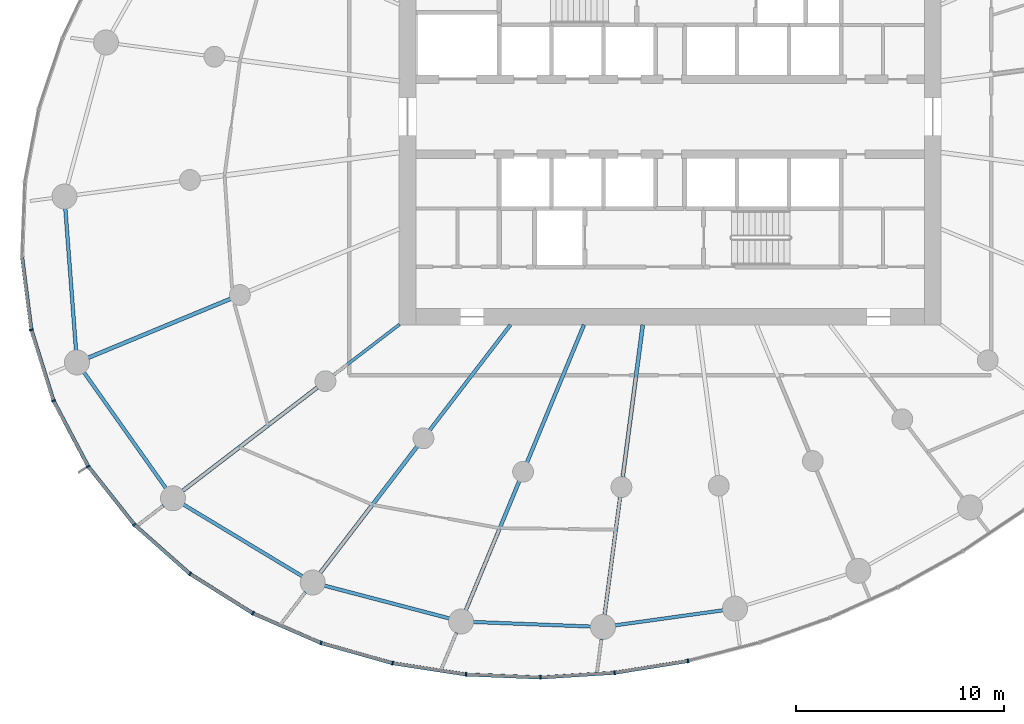
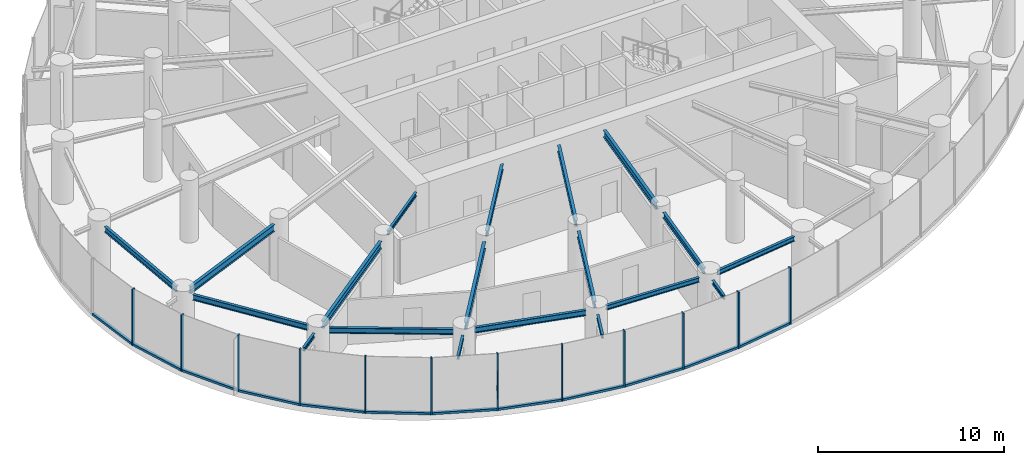
# One storey, part 2 of 17: 24 members, 19 beams, 3 elements without a shape of their own.
"""IFC4 building model written with IfcOpenShell, lengths in metres."""

from ifc_helpers import new_model, si_unit, direction, frame, origin, origin_2d, place, context, subcontext, project, spatial, rectangle, i_section, extrude, source, transform, mapped, material, layer, layer_set, material_profile, profile_set, type_object, element, aggregate, save


model = new_model("IFC4")

# Units and contexts
model_context = context("Model", 3, precision=1e-05, world=origin(), true_north=direction((0.0, 1.0)))
body_context = subcontext(model_context, "Body", "Model", "MODEL_VIEW")
ifc_project = project(units=[si_unit("LENGTHUNIT", "METRE"), si_unit("AREAUNIT", "SQUARE_METRE"), si_unit("VOLUMEUNIT", "CUBIC_METRE"), si_unit("PLANEANGLEUNIT", "RADIAN"), si_unit("MASSUNIT", "GRAM", prefix="KILO")], contexts=[model_context])

# Site, building, storey
site_placement = place(None, origin())
site = spatial("IfcSite", under=ifc_project, at=site_placement, CompositionType="ELEMENT")
building_placement = place(site_placement, origin())
building = spatial("IfcBuilding", under=site, at=building_placement, Name="Spindrift Exchange Tower", CompositionType="ELEMENT")
storey_placement = place(building_placement, frame((0.0, 0.0, 112.60009765625)))
storey = spatial("IfcBuildingStorey", under=building, at=storey_placement, Name="L26", CompositionType="ELEMENT", Elevation=112.60009765625)

# Beams
ifc_material_1 = material(Name="Steel Grade 300", Category="steel")
ifc_material_profile_1 = material_profile(ifc_material_1, i_section(OverallWidth=0.14599609375, OverallDepth=0.251953125, WebThickness=0.006103515625, FlangeThickness=0.008544921875, FilletRadius=0.011962890625, at=origin_2d()), Name="250UB31.4")
ifc_profile_set_1 = profile_set([ifc_material_profile_1], Name="Steel Grade 300")
beam_type_1 = type_object("IfcBeamType", Name="Floor Beam 250UB31.4 Steel Grade 300", PredefinedType="BEAM", material=ifc_profile_set_1)
shared_shape_1 = source(origin(), body_context, "Body", "SweptSolid", [
    extrude(i_section(OverallWidth=0.14599609375, OverallDepth=0.251953125, WebThickness=0.006103515625, FlangeThickness=0.008544921875, FilletRadius=0.011962890625, at=origin_2d()), origin(), (0.0, 0.0, 1.0), 3.99560546875),
])
beam_1_placement = place(storey_placement, frame((39.015869140625, 38.036865234375, 3.573974609375), z_axis=(-0.793352561574, -0.608762443851, 0.0), x_axis=(0.608762443851, -0.793352561574, 0.0)))
element("IfcBeam", 1, at=beam_1_placement, inside=storey, type_object=beam_type_1, Name="L26 radial beam R15A", PredefinedType="BEAM", context=body_context, shape_type="MappedRepresentation", body=[
    mapped(shared_shape_1, transform((0.0, 0.0, 0.0), scale=1.0)),
])
ifc_material_profile_2 = material_profile(ifc_material_1, i_section(OverallWidth=0.172119140625, OverallDepth=0.35888671875, WebThickness=0.008056640625, FlangeThickness=0.012939453125, FilletRadius=0.013916015625, at=origin_2d()), Name="360UB56.7")
ifc_profile_set_2 = profile_set([ifc_material_profile_2], Name="Steel Grade 300")
beam_type_2 = type_object("IfcBeamType", Name="Floor Beam 360UB56.7 Steel Grade 300", PredefinedType="BEAM", material=ifc_profile_set_2)
shared_shape_2 = source(origin(), body_context, "Body", "SweptSolid", [
    extrude(i_section(OverallWidth=0.172119140625, OverallDepth=0.35888671875, WebThickness=0.008056640625, FlangeThickness=0.012939453125, FilletRadius=0.013916015625, at=origin_2d()), origin(), (0.0, 0.0, 1.0), 6.37646484375),
])
beam_2_placement = place(storey_placement, frame((44.3388671875, 38.015869140625, 3.5205078125), z_axis=(-0.608766669952, -0.793349318747, 0.0), x_axis=(0.793349318747, -0.608766669952, 0.0)))
element("IfcBeam", 2, at=beam_2_placement, inside=storey, type_object=beam_type_2, Name="L26 radial beam R16A", PredefinedType="BEAM", context=body_context, shape_type="MappedRepresentation", body=[
    mapped(shared_shape_2, transform((0.0, 0.0, 0.0), scale=1.0)),
])
ifc_material_profile_3 = material_profile(ifc_material_1, i_section(OverallWidth=0.177978515625, OverallDepth=0.406005859375, WebThickness=0.0078125, FlangeThickness=0.0126953125, FilletRadius=0.013916015625, at=origin_2d()), Name="410UB59.7")
ifc_profile_set_3 = profile_set([ifc_material_profile_3], Name="Steel Grade 300")
beam_type_3 = type_object("IfcBeamType", Name="Floor Beam 410UB59.7 Steel Grade 300", PredefinedType="BEAM", material=ifc_profile_set_3)
shared_shape_3 = source(origin(), body_context, "Body", "SweptSolid", [
    extrude(i_section(OverallWidth=0.177978515625, OverallDepth=0.406005859375, WebThickness=0.0078125, FlangeThickness=0.0126953125, FilletRadius=0.013916015625, at=origin_2d()), origin(), (0.0, 0.0, 1.0), 7.150634765625),
])
beam_3_placement = place(storey_placement, frame((47.865478515625, 38.0185546875, 3.496826171875), z_axis=(-0.382665393358, -0.923887004306, 0.0), x_axis=(0.923887004306, -0.382665393358, 0.0)))
element("IfcBeam", 3, at=beam_3_placement, inside=storey, type_object=beam_type_3, Name="L26 radial beam R17A", PredefinedType="BEAM", context=body_context, shape_type="MappedRepresentation", body=[
    mapped(shared_shape_3, transform((0.0, 0.0, 0.0), scale=1.0)),
])
ifc_material_profile_4 = material_profile(ifc_material_1, i_section(OverallWidth=0.18994140625, OverallDepth=0.45703125, WebThickness=0.009033203125, FlangeThickness=0.014404296875, FilletRadius=0.013916015625, at=origin_2d()), Name="460UB74.6")
ifc_profile_set_4 = profile_set([ifc_material_profile_4], Name="Steel Grade 300")
beam_type_4 = type_object("IfcBeamType", Name="Floor Beam 460UB74.6 Steel Grade 300", PredefinedType="BEAM", material=ifc_profile_set_4)
shared_shape_4 = source(origin(), body_context, "Body", "SweptSolid", [
    extrude(i_section(OverallWidth=0.18994140625, OverallDepth=0.45703125, WebThickness=0.009033203125, FlangeThickness=0.014404296875, FilletRadius=0.013916015625, at=origin_2d()), origin(), (0.0, 0.0, 1.0), 7.374267578125),
])
beam_4_placement = place(storey_placement, frame((50.68603515625, 38.019775390625, 3.471435546875), z_axis=(-0.130539295622, -0.99144313619, 0.0), x_axis=(0.99144313619, -0.130539295622, 0.0)))
element("IfcBeam", 4, at=beam_4_placement, inside=storey, type_object=beam_type_4, Name="L26 radial beam R18A", PredefinedType="BEAM", context=body_context, shape_type="MappedRepresentation", body=[
    mapped(shared_shape_4, transform((0.0, 0.0, 0.0), scale=1.0)),
])
shared_shape_5 = source(origin(), body_context, "Body", "SweptSolid", [
    extrude(i_section(OverallWidth=0.18994140625, OverallDepth=0.45703125, WebThickness=0.009033203125, FlangeThickness=0.014404296875, FilletRadius=0.013916015625, at=origin_2d()), origin(), (0.0, 0.0, 1.0), 7.400146484375),
])
beam_5_placement = place(storey_placement, frame((30.917236328125, 39.26708984375, 3.471435546875), z_axis=(-0.923886957755, -0.382665505749, 0.0), x_axis=(0.382665505749, -0.923886957755, 0.0)))
element("IfcBeam", 5, at=beam_5_placement, inside=storey, type_object=beam_type_4, Name="L26 radial beam R14B", PredefinedType="BEAM", context=body_context, shape_type="MappedRepresentation", body=[
    mapped(shared_shape_5, transform((0.0, 0.0, 0.0), scale=1.0)),
])
shared_shape_6 = source(origin(), body_context, "Body", "SweptSolid", [
    extrude(i_section(OverallWidth=0.18994140625, OverallDepth=0.45703125, WebThickness=0.009033203125, FlangeThickness=0.014404296875, FilletRadius=0.013916015625, at=origin_2d()), origin(), (0.0, 0.0, 1.0), 8.158447265625),
])
beam_6_placement = place(storey_placement, frame((35.08447265625, 35.020263671875, 3.471435546875), z_axis=(-0.793358732539, -0.608754401631, 0.0), x_axis=(0.608754401631, -0.793358732539, 0.0)))
element("IfcBeam", 6, at=beam_6_placement, inside=storey, type_object=beam_type_4, Name="L26 radial beam R15B", PredefinedType="BEAM", context=body_context, shape_type="MappedRepresentation", body=[
    mapped(shared_shape_6, transform((0.0, 0.0, 0.0), scale=1.0)),
])
shared_shape_7 = source(origin(), body_context, "Body", "SweptSolid", [
    extrude(i_section(OverallWidth=0.18994140625, OverallDepth=0.45703125, WebThickness=0.009033203125, FlangeThickness=0.014404296875, FilletRadius=0.013916015625, at=origin_2d()), origin(), (0.0, 0.0, 1.0), 7.663818359375),
])
beam_7_placement = place(storey_placement, frame((39.872802734375, 32.1953125, 3.471435546875), z_axis=(-0.608771227503, -0.793345821546, 0.0), x_axis=(0.793345821546, -0.608771227503, 0.0)))
element("IfcBeam", 7, at=beam_7_placement, inside=storey, type_object=beam_type_4, Name="L26 radial beam R16B", PredefinedType="BEAM", context=body_context, shape_type="MappedRepresentation", body=[
    mapped(shared_shape_7, transform((0.0, 0.0, 0.0), scale=1.0)),
])
shared_shape_8 = source(origin(), body_context, "Body", "SweptSolid", [
    extrude(i_section(OverallWidth=0.177978515625, OverallDepth=0.406005859375, WebThickness=0.0078125, FlangeThickness=0.0126953125, FilletRadius=0.013916015625, at=origin_2d()), origin(), (0.0, 0.0, 1.0), 6.71240234375),
])
beam_8_placement = place(storey_placement, frame((44.76171875, 30.525146484375, 3.496826171875), z_axis=(-0.382669812754, -0.923885173821, 0.0), x_axis=(0.923885173821, -0.382669812754, 0.0)))
element("IfcBeam", 8, at=beam_8_placement, inside=storey, type_object=beam_type_3, Name="L26 radial beam R17B", PredefinedType="BEAM", context=body_context, shape_type="MappedRepresentation", body=[
    mapped(shared_shape_8, transform((0.0, 0.0, 0.0), scale=1.0)),
])
shared_shape_9 = source(origin(), body_context, "Body", "SweptSolid", [
    extrude(i_section(OverallWidth=0.172119140625, OverallDepth=0.35888671875, WebThickness=0.008056640625, FlangeThickness=0.012939453125, FilletRadius=0.013916015625, at=origin_2d()), origin(), (0.0, 0.0, 1.0), 5.70751953125),
])
beam_9_placement = place(storey_placement, frame((49.59814453125, 29.7568359375, 3.5205078125), z_axis=(-0.130507624881, -0.991447305634, 0.0), x_axis=(0.991447305634, -0.130507624881, 0.0)))
element("IfcBeam", 9, at=beam_9_placement, inside=storey, type_object=beam_type_2, Name="L26 radial beam R18B", PredefinedType="BEAM", context=body_context, shape_type="MappedRepresentation", body=[
    mapped(shared_shape_9, transform((0.0, 0.0, 0.0), scale=1.0)),
])
ifc_material_profile_5 = material_profile(ifc_material_1, i_section(OverallWidth=0.172119140625, OverallDepth=0.35888671875, WebThickness=0.008056640625, FlangeThickness=0.012939453125, FilletRadius=0.013916015625, at=origin_2d()), Name="360UB56.7")
ifc_profile_set_5 = profile_set([ifc_material_profile_5], Name="Steel Grade 300")
beam_type_5 = type_object("IfcBeamType", Name="Edge Beam 360UB56.7 Steel Grade 300", PredefinedType="SPANDREL", material=ifc_profile_set_5)
shared_shape_10 = source(origin(), body_context, "Body", "SweptSolid", [
    extrude(i_section(OverallWidth=0.172119140625, OverallDepth=0.35888671875, WebThickness=0.008056640625, FlangeThickness=0.012939453125, FilletRadius=0.013916015625, at=origin_2d()), origin(), (0.0, 0.0, 1.0), 6.82373046875),
])
beam_10_placement = place(storey_placement, frame((22.9873046875, 43.59619140625, 3.5205078125), z_axis=(0.075276463877, -0.997162701863, 0.0), x_axis=(0.997162701863, 0.075276463877, 0.0)))
element("IfcBeam", 10, at=beam_10_placement, inside=storey, type_object=beam_type_5, Name="L26 edge beam E13", PredefinedType="SPANDREL", context=body_context, shape_type="MappedRepresentation", body=[
    mapped(shared_shape_10, transform((0.0, 0.0, 0.0), scale=1.0)),
])
shared_shape_11 = source(origin(), body_context, "Body", "SweptSolid", [
    extrude(i_section(OverallWidth=0.172119140625, OverallDepth=0.35888671875, WebThickness=0.008056640625, FlangeThickness=0.012939453125, FilletRadius=0.013916015625, at=origin_2d()), origin(), (0.0, 0.0, 1.0), 6.81787109375),
])
beam_11_placement = place(storey_placement, frame((23.87939453125, 35.739990234375, 3.5205078125), z_axis=(0.577526426198, -0.816371990604, 0.0), x_axis=(0.816371990604, 0.577526426198, 0.0)))
element("IfcBeam", 11, at=beam_11_placement, inside=storey, type_object=beam_type_5, Name="L26 edge beam E14", PredefinedType="SPANDREL", context=body_context, shape_type="MappedRepresentation", body=[
    mapped(shared_shape_11, transform((0.0, 0.0, 0.0), scale=1.0)),
])
shared_shape_12 = source(origin(), body_context, "Body", "SweptSolid", [
    extrude(i_section(OverallWidth=0.172119140625, OverallDepth=0.35888671875, WebThickness=0.008056640625, FlangeThickness=0.012939453125, FilletRadius=0.013916015625, at=origin_2d()), origin(), (0.0, 0.0, 1.0), 6.668701171875),
])
beam_12_placement = place(storey_placement, frame((28.6484375, 29.40087890625, 3.5205078125), z_axis=(0.856133207479, -0.516755194508, 0.0), x_axis=(0.516755194508, 0.856133207479, 0.0)))
element("IfcBeam", 12, at=beam_12_placement, inside=storey, type_object=beam_type_5, Name="L26 edge beam E15", PredefinedType="SPANDREL", context=body_context, shape_type="MappedRepresentation", body=[
    mapped(shared_shape_12, transform((0.0, 0.0, 0.0), scale=1.0)),
])
shared_shape_13 = source(origin(), body_context, "Body", "SweptSolid", [
    extrude(i_section(OverallWidth=0.172119140625, OverallDepth=0.35888671875, WebThickness=0.008056640625, FlangeThickness=0.012939453125, FilletRadius=0.013916015625, at=origin_2d()), origin(), (0.0, 0.0, 1.0), 6.197509765625),
])
beam_13_placement = place(storey_placement, frame((35.415283203125, 25.508056640625, 3.5205078125), z_axis=(0.967254420813, -0.253808757567, 0.0), x_axis=(0.253808757567, 0.967254420813, 0.0)))
element("IfcBeam", 13, at=beam_13_placement, inside=storey, type_object=beam_type_5, Name="L26 edge beam E16", PredefinedType="SPANDREL", context=body_context, shape_type="MappedRepresentation", body=[
    mapped(shared_shape_13, transform((0.0, 0.0, 0.0), scale=1.0)),
])
ifc_material_profile_6 = material_profile(ifc_material_1, i_section(OverallWidth=0.1650390625, OverallDepth=0.303955078125, WebThickness=0.006103515625, FlangeThickness=0.01025390625, FilletRadius=0.011474609375, at=origin_2d()), Name="310UB40.4")
ifc_profile_set_6 = profile_set([ifc_material_profile_6], Name="Steel Grade 300")
beam_type_6 = type_object("IfcBeamType", Name="Edge Beam 310UB40.4 Steel Grade 300", PredefinedType="SPANDREL", material=ifc_profile_set_6)
shared_shape_14 = source(origin(), body_context, "Body", "SweptSolid", [
    extrude(i_section(OverallWidth=0.1650390625, OverallDepth=0.303955078125, WebThickness=0.006103515625, FlangeThickness=0.01025390625, FilletRadius=0.011474609375, at=origin_2d()), origin(), (0.0, 0.0, 1.0), 5.65185546875),
])
beam_14_placement = place(storey_placement, frame((42.550537109375, 23.765380859375, 3.5478515625), z_axis=(0.99924397539, -0.038877726865, 0.0), x_axis=(0.038877726865, 0.99924397539, 0.0)))
element("IfcBeam", 14, at=beam_14_placement, inside=storey, type_object=beam_type_6, Name="L26 edge beam E17", PredefinedType="SPANDREL", context=body_context, shape_type="MappedRepresentation", body=[
    mapped(shared_shape_14, transform((0.0, 0.0, 0.0), scale=1.0)),
])
shared_shape_15 = source(origin(), body_context, "Body", "SweptSolid", [
    extrude(i_section(OverallWidth=0.1650390625, OverallDepth=0.303955078125, WebThickness=0.006103515625, FlangeThickness=0.01025390625, FilletRadius=0.011474609375, at=origin_2d()), origin(), (0.0, 0.0, 1.0), 5.22998046875),
])
beam_15_placement = place(storey_placement, frame((49.35205078125, 23.603271484375, 3.5478515625), z_axis=(0.990440078597, 0.137943650481, 0.0), x_axis=(-0.137943650481, 0.990440078597, 0.0)))
element("IfcBeam", 15, at=beam_15_placement, inside=storey, type_object=beam_type_6, Name="L26 edge beam E18", PredefinedType="SPANDREL", context=body_context, shape_type="MappedRepresentation", body=[
    mapped(shared_shape_15, transform((0.0, 0.0, 0.0), scale=1.0)),
])
ifc_material_profile_7 = material_profile(ifc_material_1, i_section(OverallWidth=0.14599609375, OverallDepth=0.251953125, WebThickness=0.006103515625, FlangeThickness=0.008544921875, FilletRadius=0.011962890625, at=origin_2d()), Name="250UB31.4")
ifc_profile_set_7 = profile_set([ifc_material_profile_7], Name="Steel Grade 300")
beam_type_7 = type_object("IfcBeamType", Name="Cantilever Beam 250UB31.4 Steel Grade 300", PredefinedType="BEAM", material=ifc_profile_set_7)
shared_shape_16 = source(origin(), body_context, "Body", "SweptSolid", [
    extrude(i_section(OverallWidth=0.14599609375, OverallDepth=0.251953125, WebThickness=0.006103515625, FlangeThickness=0.008544921875, FilletRadius=0.011962890625, at=origin_2d()), origin(), (0.0, 0.0, 1.0), 1.481201171875),
])
beam_16_placement = place(storey_placement, frame((27.691650390625, 29.347412109375, 3.573974609375), z_axis=(-0.793425939582, -0.608666804087, 0.0), x_axis=(0.608666804087, -0.793425939582, 0.0)))
element("IfcBeam", 16, at=beam_16_placement, inside=storey, type_object=beam_type_7, Name="L26 cantilever beam R15T", PredefinedType="BEAM", context=body_context, shape_type="MappedRepresentation", body=[
    mapped(shared_shape_16, transform((0.0, 0.0, 0.0), scale=1.0)),
])
shared_shape_17 = source(origin(), body_context, "Body", "SweptSolid", [
    extrude(i_section(OverallWidth=0.14599609375, OverallDepth=0.251953125, WebThickness=0.006103515625, FlangeThickness=0.008544921875, FilletRadius=0.011962890625, at=origin_2d()), origin(), (0.0, 0.0, 1.0), 1.96484375),
])
beam_17_placement = place(storey_placement, frame((34.501220703125, 25.195068359375, 3.573974609375), z_axis=(-0.608809692833, -0.793316303824, 0.0), x_axis=(0.793316303824, -0.608809692833, 0.0)))
element("IfcBeam", 17, at=beam_17_placement, inside=storey, type_object=beam_type_7, Name="L26 cantilever beam R16T", PredefinedType="BEAM", context=body_context, shape_type="MappedRepresentation", body=[
    mapped(shared_shape_17, transform((0.0, 0.0, 0.0), scale=1.0)),
])
shared_shape_18 = source(origin(), body_context, "Body", "SweptSolid", [
    extrude(i_section(OverallWidth=0.14599609375, OverallDepth=0.251953125, WebThickness=0.006103515625, FlangeThickness=0.008544921875, FilletRadius=0.011962890625, at=origin_2d()), origin(), (0.0, 0.0, 1.0), 1.93408203125),
])
beam_18_placement = place(storey_placement, frame((41.7490234375, 23.251953125, 3.573974609375), z_axis=(-0.382723397636, -0.923862977341, 0.0), x_axis=(0.923862977341, -0.382723397636, 0.0)))
element("IfcBeam", 18, at=beam_18_placement, inside=storey, type_object=beam_type_7, Name="L26 cantilever beam R17T", PredefinedType="BEAM", context=body_context, shape_type="MappedRepresentation", body=[
    mapped(shared_shape_18, transform((0.0, 0.0, 0.0), scale=1.0)),
])
shared_shape_19 = source(origin(), body_context, "Body", "SweptSolid", [
    extrude(i_section(OverallWidth=0.14599609375, OverallDepth=0.251953125, WebThickness=0.006103515625, FlangeThickness=0.008544921875, FilletRadius=0.011962890625, at=origin_2d()), origin(), (0.0, 0.0, 1.0), 1.60791015625),
])
beam_19_placement = place(storey_placement, frame((48.701904296875, 22.9482421875, 3.573974609375), z_axis=(-0.130572336197, -0.991438785312, 0.0), x_axis=(0.991438785312, -0.130572336197, 0.0)))
element("IfcBeam", 19, at=beam_19_placement, inside=storey, type_object=beam_type_7, Name="L26 cantilever beam R18T", PredefinedType="BEAM", context=body_context, shape_type="MappedRepresentation", body=[
    mapped(shared_shape_19, transform((0.0, 0.0, 0.0), scale=1.0)),
])

# Curtain wall, members
ifc_material_2 = material(Name="Fritted laminated glass with bronze frame", Category="glass")
ifc_layer = layer(ifc_material_2, 0.18994140625)
ifc_layer_set = layer_set([ifc_layer], Name="ZONE 2 BRONZE FRITTED WALL")
curtain_wall_type = type_object("IfcCurtainWallType", Name="ZONE 2 BRONZE FRITTED WALL", PredefinedType="NOTDEFINED", material=ifc_layer_set)
curtain_wall_1_placement = place(storey_placement, origin())
curtain_wall_1 = element("IfcCurtainWall", 20, at=curtain_wall_1_placement, inside=storey, type_object=curtain_wall_type, Name="L26 Zone 2 Bronze Fritted Wall run 5", PredefinedType="NOTDEFINED")
ifc_material_3 = material(Name="Bronze anodised aluminium", Category="aluminium")
ifc_material_profile_8 = material_profile(ifc_material_3, rectangle(XDim=0.074951171875, YDim=0.18994140625, at=origin_2d()), Name="ZONE 2 BRONZE FRITTED WALL MULLION 75X190")
ifc_profile_set_8 = profile_set([ifc_material_profile_8], Name="Bronze anodised aluminium")
member_type_1 = type_object("IfcMemberType", Name="ZONE 2 BRONZE FRITTED WALL MULLION 75X190", PredefinedType="MULLION", material=ifc_profile_set_8)
shared_shape_20 = source(origin(), body_context, "Body", "SweptSolid", [
    extrude(rectangle(XDim=0.074951171875, YDim=0.18994140625, at=origin_2d()), origin(), (0.0, 0.0, 1.0), 3.699951171875),
])
member_1_placement = place(storey_placement, frame((21.359130859375, 37.779052734375, 0.0), z_axis=(0.0, 0.0, 1.0), x_axis=(0.21308946775, -0.977032690719, 0.0)))
member_1 = element("IfcMember", 21, at=member_1_placement, type_object=member_type_1, Name="L26 mullion CW-2.25", PredefinedType="MULLION", context=body_context, shape_type="MappedRepresentation", body=[
    mapped(shared_shape_20, transform((0.0, 0.0, 0.0), scale=1.0)),
])
member_2_placement = place(storey_placement, frame((22.422119140625, 34.37841796875, 0.0), z_axis=(0.0, 0.0, 1.0), x_axis=(0.384439760596, -0.923150080146, 0.0)))
member_2 = element("IfcMember", 22, at=member_2_placement, type_object=member_type_1, Name="L26 mullion CW-2.26", PredefinedType="MULLION", context=body_context, shape_type="MappedRepresentation", body=[
    mapped(shared_shape_20, transform((0.0, 0.0, 0.0), scale=1.0)),
])
member_3_placement = place(storey_placement, frame((24.0869140625, 31.228759765625, 0.0), z_axis=(0.0, 0.0, 1.0), x_axis=(0.546353399418, -0.837554752207, 0.0)))
member_3 = element("IfcMember", 23, at=member_3_placement, type_object=member_type_1, Name="L26 mullion CW-2.27", PredefinedType="MULLION", context=body_context, shape_type="MappedRepresentation", body=[
    mapped(shared_shape_20, transform((0.0, 0.0, 0.0), scale=1.0)),
])
member_4_placement = place(storey_placement, frame((26.298583984375, 28.435546875, 0.0), z_axis=(0.0, 0.0, 1.0), x_axis=(0.687379700307, -0.726298249761, 0.0)))
member_4 = element("IfcMember", 24, at=member_4_placement, type_object=member_type_1, Name="L26 mullion CW-2.28", PredefinedType="MULLION", context=body_context, shape_type="MappedRepresentation", body=[
    mapped(shared_shape_20, transform((0.0, 0.0, 0.0), scale=1.0)),
])
member_5_placement = place(storey_placement, frame((28.966552734375, 26.072998046875, 0.0), z_axis=(0.0, 0.0, 1.0), x_axis=(0.800532440139, -0.599289422804, 0.0)))
member_5 = element("IfcMember", 25, at=member_5_placement, type_object=member_type_1, Name="L26 mullion CW-2.29", PredefinedType="MULLION", context=body_context, shape_type="MappedRepresentation", body=[
    mapped(shared_shape_20, transform((0.0, 0.0, 0.0), scale=1.0)),
])
member_6_placement = place(storey_placement, frame((31.9853515625, 24.178466796875, 0.0), z_axis=(0.0, 0.0, 1.0), x_axis=(0.884439546273, -0.46665478567, 0.0)))
member_6 = element("IfcMember", 26, at=member_6_placement, type_object=member_type_1, Name="L26 mullion CW-2.30", PredefinedType="MULLION", context=body_context, shape_type="MappedRepresentation", body=[
    mapped(shared_shape_20, transform((0.0, 0.0, 0.0), scale=1.0)),
])

curtain_wall_2_placement = place(storey_placement, origin())
curtain_wall_2 = element("IfcCurtainWall", 27, at=curtain_wall_2_placement, inside=storey, type_object=curtain_wall_type, Name="L26 Zone 2 Bronze Fritted Wall run 6", PredefinedType="NOTDEFINED")
member_7_placement = place(storey_placement, frame((35.25390625, 22.755859375, 0.0), z_axis=(0.0, 0.0, 1.0), x_axis=(0.941843446918, -0.336051962496, 0.0)))
member_7 = element("IfcMember", 28, at=member_7_placement, type_object=member_type_1, Name="L26 mullion CW-2.31", PredefinedType="MULLION", context=body_context, shape_type="MappedRepresentation", body=[
    mapped(shared_shape_20, transform((0.0, 0.0, 0.0), scale=1.0)),
])
member_8_placement = place(storey_placement, frame((38.685302734375, 21.7880859375, 0.0), z_axis=(0.0, 0.0, 1.0), x_axis=(0.977293655773, -0.211889382429, 0.0)))
member_8 = element("IfcMember", 29, at=member_8_placement, type_object=member_type_1, Name="L26 mullion CW-2.32", PredefinedType="MULLION", context=body_context, shape_type="MappedRepresentation", body=[
    mapped(shared_shape_20, transform((0.0, 0.0, 0.0), scale=1.0)),
])
member_9_placement = place(storey_placement, frame((42.209716796875, 21.247802734375, 0.0), z_axis=(0.0, 0.0, 1.0), x_axis=(0.995382055179, -0.095992521732, 0.0)))
member_9 = element("IfcMember", 30, at=member_9_placement, type_object=member_type_1, Name="L26 mullion CW-2.33", PredefinedType="MULLION", context=body_context, shape_type="MappedRepresentation", body=[
    mapped(shared_shape_20, transform((0.0, 0.0, 0.0), scale=1.0)),
])
member_10_placement = place(storey_placement, frame((45.77294921875, 21.1044921875, 0.0), z_axis=(0.0, 0.0, 1.0), x_axis=(0.999935353228, 0.011370548152, 0.0)))
member_10 = element("IfcMember", 31, at=member_10_placement, type_object=member_type_1, Name="L26 mullion CW-2.34", PredefinedType="MULLION", context=body_context, shape_type="MappedRepresentation", body=[
    mapped(shared_shape_20, transform((0.0, 0.0, 0.0), scale=1.0)),
])
member_11_placement = place(storey_placement, frame((49.33203125, 21.32861328125, 0.0), z_axis=(0.0, 0.0, 1.0), x_axis=(0.993841212096, 0.110813560265, 0.0)))
member_11 = element("IfcMember", 32, at=member_11_placement, type_object=member_type_1, Name="L26 mullion CW-2.35", PredefinedType="MULLION", context=body_context, shape_type="MappedRepresentation", body=[
    mapped(shared_shape_20, transform((0.0, 0.0, 0.0), scale=1.0)),
])
member_12_placement = place(storey_placement, frame((52.853515625, 21.89404296875, 0.0), z_axis=(0.0, 0.0, 1.0), x_axis=(0.97911477387, 0.203308287067, 0.0)))
member_12 = element("IfcMember", 33, at=member_12_placement, type_object=member_type_1, Name="L26 mullion CW-2.36", PredefinedType="MULLION", context=body_context, shape_type="MappedRepresentation", body=[
    mapped(shared_shape_20, transform((0.0, 0.0, 0.0), scale=1.0)),
])
ifc_material_profile_9 = material_profile(ifc_material_3, rectangle(XDim=0.169921875, YDim=0.139892578125, at=origin_2d()), Name="ZONE 2 BRONZE FRITTED WALL TRANSOM 170X140")
ifc_profile_set_9 = profile_set([ifc_material_profile_9], Name="Bronze anodised aluminium")
member_type_2 = type_object("IfcMemberType", Name="ZONE 2 BRONZE FRITTED WALL TRANSOM 170X140", PredefinedType="USERDEFINED", material=ifc_profile_set_9)
shared_shape_21 = source(origin(), body_context, "Body", "SweptSolid", [
    extrude(rectangle(XDim=0.169921875, YDim=0.139892578125, at=origin_2d()), origin(), (0.0, 0.0, 1.0), 3.4912109375),
])
member_13_placement = place(storey_placement, frame((42.2470703125, 21.24609375, 0.06982421875), z_axis=(0.999194017507, -0.040141193033, 0.0), x_axis=(0.040141193033, 0.999194017507, 0.0)))
member_13 = element("IfcMember", 34, at=member_13_placement, type_object=member_type_2, Name="L26 transom CW-2.33", ObjectType="TRANSOM", PredefinedType="USERDEFINED", context=body_context, shape_type="MappedRepresentation", body=[
    mapped(shared_shape_21, transform((0.0, 0.0, 0.0), scale=1.0)),
])
member_14_placement = place(storey_placement, frame((45.810302734375, 21.10693359375, 0.06982421875), z_axis=(0.998021984625, 0.062865874732, 0.0), x_axis=(-0.062865874732, 0.998021984625, 0.0)))
member_14 = element("IfcMember", 35, at=member_14_placement, type_object=member_type_2, Name="L26 transom CW-2.34", ObjectType="TRANSOM", PredefinedType="USERDEFINED", context=body_context, shape_type="MappedRepresentation", body=[
    mapped(shared_shape_21, transform((0.0, 0.0, 0.0), scale=1.0)),
])
shared_shape_22 = source(origin(), body_context, "Body", "SweptSolid", [
    extrude(rectangle(XDim=0.169921875, YDim=0.139892578125, at=origin_2d()), origin(), (0.0, 0.0, 1.0), 3.490478515625),
])
member_15_placement = place(storey_placement, frame((35.289794921875, 22.74560546875, 0.06982421875), z_axis=(0.96245014456, -0.271458503709, 0.0), x_axis=(0.271458503709, 0.96245014456, 0.0)))
member_15 = element("IfcMember", 36, at=member_15_placement, type_object=member_type_2, Name="L26 transom CW-2.31", ObjectType="TRANSOM", PredefinedType="USERDEFINED", context=body_context, shape_type="MappedRepresentation", body=[
    mapped(shared_shape_22, transform((0.0, 0.0, 0.0), scale=1.0)),
])

# Member
shared_shape_23 = source(origin(), body_context, "Body", "SweptSolid", [
    extrude(rectangle(XDim=0.169921875, YDim=0.139892578125, at=origin_2d()), origin(), (0.0, 0.0, 1.0), 3.489013671875),
])
member_16_placement = place(storey_placement, frame((28.998291015625, 26.05322265625, 0.06982421875), z_axis=(0.84701015174, -0.531576713983, 0.0), x_axis=(0.531576713983, 0.84701015174, 0.0)))
member_16 = element("IfcMember", 37, at=member_16_placement, type_object=member_type_2, Name="L26 transom CW-2.29", ObjectType="TRANSOM", PredefinedType="USERDEFINED", context=body_context, shape_type="MappedRepresentation", body=[
    mapped(shared_shape_23, transform((0.0, 0.0, 0.0), scale=1.0)),
])

# Curtain wall, member
curtain_wall_3_placement = place(storey_placement, origin())
curtain_wall_3 = element("IfcCurtainWall", 38, at=curtain_wall_3_placement, inside=storey, type_object=curtain_wall_type, Name="L26 Zone 2 Bronze Fritted Wall run 4", PredefinedType="NOTDEFINED")
shared_shape_24 = source(origin(), body_context, "Body", "SweptSolid", [
    extrude(rectangle(XDim=0.169921875, YDim=0.139892578125, at=origin_2d()), origin(), (0.0, 0.0, 1.0), 3.48828125),
])
member_17_placement = place(storey_placement, frame((20.9140625, 41.27685546875, 0.06982421875), z_axis=(0.126256784093, -0.991997592976, 0.0), x_axis=(0.991997592976, 0.126256784093, 0.0)))
member_17 = element("IfcMember", 39, at=member_17_placement, type_object=member_type_2, Name="L26 transom CW-2.24", ObjectType="TRANSOM", PredefinedType="USERDEFINED", context=body_context, shape_type="MappedRepresentation", body=[
    mapped(shared_shape_24, transform((0.0, 0.0, 0.0), scale=1.0)),
])
aggregate(curtain_wall_3, [member_17])

# Member
shared_shape_25 = source(origin(), body_context, "Body", "SweptSolid", [
    extrude(rectangle(XDim=0.169921875, YDim=0.139892578125, at=origin_2d()), origin(), (0.0, 0.0, 1.0), 3.487548828125),
])
member_18_placement = place(storey_placement, frame((22.439453125, 34.34521484375, 0.06982421875), z_axis=(0.467398774793, -0.884046596805, 0.0), x_axis=(0.884046596805, 0.467398774793, 0.0)))
member_18 = element("IfcMember", 40, at=member_18_placement, type_object=member_type_2, Name="L26 transom CW-2.26", ObjectType="TRANSOM", PredefinedType="USERDEFINED", context=body_context, shape_type="MappedRepresentation", body=[
    mapped(shared_shape_25, transform((0.0, 0.0, 0.0), scale=1.0)),
])

shared_shape_26 = source(origin(), body_context, "Body", "SweptSolid", [
    extrude(rectangle(XDim=0.169921875, YDim=0.139892578125, at=origin_2d()), origin(), (0.0, 0.0, 1.0), 3.48779296875),
])
member_19_placement = place(storey_placement, frame((24.1103515625, 31.199462890625, 0.06982421875), z_axis=(0.620726251255, -0.784027372611, 0.0), x_axis=(0.784027372611, 0.620726251255, 0.0)))
member_19 = element("IfcMember", 41, at=member_19_placement, type_object=member_type_2, Name="L26 transom CW-2.27", ObjectType="TRANSOM", PredefinedType="USERDEFINED", context=body_context, shape_type="MappedRepresentation", body=[
    mapped(shared_shape_26, transform((0.0, 0.0, 0.0), scale=1.0)),
])

shared_shape_27 = source(origin(), body_context, "Body", "SweptSolid", [
    extrude(rectangle(XDim=0.169921875, YDim=0.139892578125, at=origin_2d()), origin(), (0.0, 0.0, 1.0), 3.49072265625),
])
member_20_placement = place(storey_placement, frame((38.72216796875, 21.7822265625, 0.06982421875), z_axis=(0.98845885832, -0.151489555446, 0.0), x_axis=(0.151489555446, 0.98845885832, 0.0)))
member_20 = element("IfcMember", 42, at=member_20_placement, type_object=member_type_2, Name="L26 transom CW-2.32", ObjectType="TRANSOM", PredefinedType="USERDEFINED", context=body_context, shape_type="MappedRepresentation", body=[
    mapped(shared_shape_27, transform((0.0, 0.0, 0.0), scale=1.0)),
])

shared_shape_28 = source(origin(), body_context, "Body", "SweptSolid", [
    extrude(rectangle(XDim=0.169921875, YDim=0.139892578125, at=origin_2d()), origin(), (0.0, 0.0, 1.0), 3.491455078125),
])
member_21_placement = place(storey_placement, frame((49.369140625, 21.334716796875, 0.06982421875), z_axis=(0.987366341761, 0.158454116886, 0.0), x_axis=(-0.158454116886, 0.987366341761, 0.0)))
member_21 = element("IfcMember", 43, at=member_21_placement, type_object=member_type_2, Name="L26 transom CW-2.35", ObjectType="TRANSOM", PredefinedType="USERDEFINED", context=body_context, shape_type="MappedRepresentation", body=[
    mapped(shared_shape_28, transform((0.0, 0.0, 0.0), scale=1.0)),
])

aggregate(curtain_wall_2, [member_7, member_15, member_8, member_20, member_9, member_13, member_10, member_14, member_11, member_21, member_12])

shared_shape_29 = source(origin(), body_context, "Body", "SweptSolid", [
    extrude(rectangle(XDim=0.169921875, YDim=0.139892578125, at=origin_2d()), origin(), (0.0, 0.0, 1.0), 3.488525390625),
])
member_22_placement = place(storey_placement, frame((26.32666015625, 28.41064453125, 0.06982421875), z_axis=(0.74867054605, -0.662942239926, 0.0), x_axis=(0.662942239926, 0.74867054605, 0.0)))
member_22 = element("IfcMember", 44, at=member_22_placement, type_object=member_type_2, Name="L26 transom CW-2.28", ObjectType="TRANSOM", PredefinedType="USERDEFINED", context=body_context, shape_type="MappedRepresentation", body=[
    mapped(shared_shape_29, transform((0.0, 0.0, 0.0), scale=1.0)),
])

shared_shape_30 = source(origin(), body_context, "Body", "SweptSolid", [
    extrude(rectangle(XDim=0.169921875, YDim=0.139892578125, at=origin_2d()), origin(), (0.0, 0.0, 1.0), 3.488037109375),
])
member_23_placement = place(storey_placement, frame((21.370361328125, 37.743408203125, 0.06982421875), z_axis=(0.298322819189, -0.954465031078, 0.0), x_axis=(0.954465031078, 0.298322819189, 0.0)))
member_23 = element("IfcMember", 45, at=member_23_placement, type_object=member_type_2, Name="L26 transom CW-2.25", ObjectType="TRANSOM", PredefinedType="USERDEFINED", context=body_context, shape_type="MappedRepresentation", body=[
    mapped(shared_shape_30, transform((0.0, 0.0, 0.0), scale=1.0)),
])

shared_shape_31 = source(origin(), body_context, "Body", "SweptSolid", [
    extrude(rectangle(XDim=0.169921875, YDim=0.139892578125, at=origin_2d()), origin(), (0.0, 0.0, 1.0), 3.48974609375),
])
member_24_placement = place(storey_placement, frame((32.019775390625, 24.16357421875, 0.06982421875), z_axis=(0.916897572735, -0.399122589078, 0.0), x_axis=(0.399122589078, 0.916897572735, 0.0)))
member_24 = element("IfcMember", 46, at=member_24_placement, type_object=member_type_2, Name="L26 transom CW-2.30", ObjectType="TRANSOM", PredefinedType="USERDEFINED", context=body_context, shape_type="MappedRepresentation", body=[
    mapped(shared_shape_31, transform((0.0, 0.0, 0.0), scale=1.0)),
])

aggregate(curtain_wall_1, [member_1, member_23, member_2, member_18, member_3, member_19, member_4, member_22, member_5, member_16, member_6, member_24])

save(model, "model.ifc")
